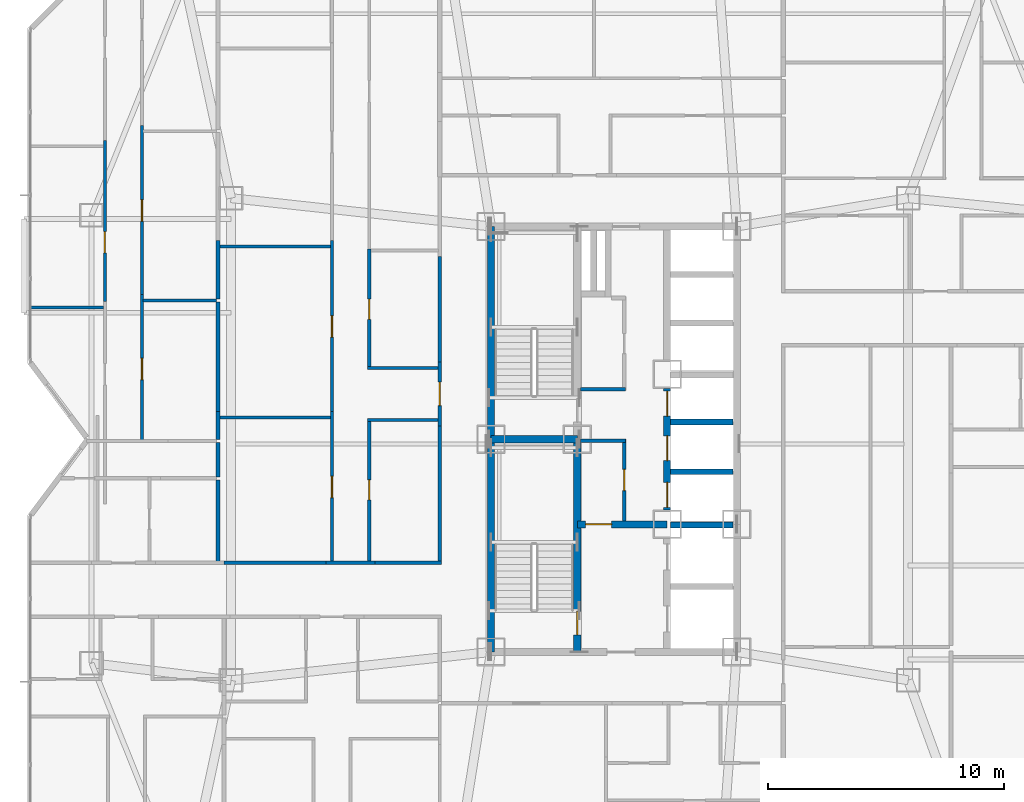
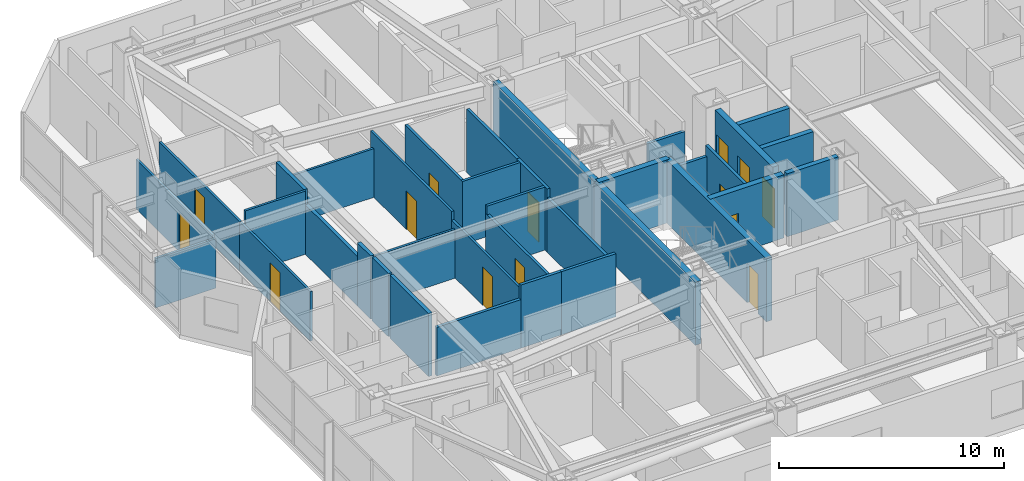
# One storey, part 16 of 21: 36 walls, 14 doors, 14 openings.
"""IFC4 building model written with IfcOpenShell, lengths in metres."""

from ifc_helpers import new_model, si_unit, direction, frame, frame_2d, origin, place, context, subcontext, project, spatial, rectangle, extrude, material, layer, layer_set, type_object, element, fill, save


model = new_model("IFC4")

# Units and contexts
model_context = context("Model", 3, precision=1e-05, world=origin(), true_north=direction((0.0, 1.0)))
body_context = subcontext(model_context, "Body", "Model", "MODEL_VIEW")
ifc_project = project(units=[si_unit("LENGTHUNIT", "METRE"), si_unit("AREAUNIT", "SQUARE_METRE"), si_unit("VOLUMEUNIT", "CUBIC_METRE"), si_unit("PLANEANGLEUNIT", "RADIAN"), si_unit("MASSUNIT", "GRAM", prefix="KILO")], contexts=[model_context])

# Site, building, storey
site_placement = place(None, origin())
site = spatial("IfcSite", under=ifc_project, at=site_placement, CompositionType="ELEMENT")
building_placement = place(site_placement, origin())
building = spatial("IfcBuilding", under=site, at=building_placement, Name="Khamvora Tower", CompositionType="ELEMENT")
storey_placement = place(building_placement, frame((0.0, 0.0, 98.25)))
storey = spatial("IfcBuildingStorey", under=building, at=storey_placement, Name="L24", CompositionType="ELEMENT", Elevation=98.25)

# Walls
ifc_material_1 = material(Name="Concrete C50/60", Category="concrete")
ifc_layer_1 = layer(ifc_material_1, 0.300048828125)
ifc_layer_set_1 = layer_set([ifc_layer_1], Name="Concrete C50/60")
wall_type_1 = type_object("IfcWallType", Name="WAL-CORE-300", PredefinedType="SHEAR", material=ifc_layer_set_1)
for number, where, z_axis, x_axis, name in (
    (1, (29.0, 19.0, 0.0), (0.0, 0.0, 1.0), (0.0, 1.0, 0.0), "L24 central core west south wall"),
    (2, (29.0, 28.0, 0.0), (0.0, 0.0, 1.0), (0.0, 1.0, 0.0), "L24 central core west north wall"),
):
    element("IfcWall", number, at=place(storey_placement, frame(where, z_axis=z_axis, x_axis=x_axis)), inside=storey, type_object=wall_type_1, Name=name, PredefinedType="SHEAR", context=body_context, shape_type="SweptSolid", body=[
        extrude(rectangle(XDim=9.0, YDim=0.300048828125, at=frame_2d((4.5, 0.0))), origin(), (0.0, 0.0, 1.0), 3.429931640625),
    ])

# Wall, opening, door
wall_1_placement = place(storey_placement, frame((32.64990234375, 19.0, 0.0), z_axis=(0.0, 0.0, 1.0), x_axis=(0.0, 1.0, 0.0)))
wall_1 = element("IfcWall", 3, at=wall_1_placement, inside=storey, type_object=wall_type_1, Name="L24 central core stair south spine wall", PredefinedType="SHEAR", context=body_context, shape_type="SweptSolid", body=[
    extrude(rectangle(XDim=9.0, YDim=0.300048828125, at=frame_2d((4.5, 0.0))), origin(), (0.0, 0.0, 1.0), 3.429931640625),
])
opening_1_placement = place(wall_1_placement, frame((0.719970703125, 0.0, 0.0)))
opening_1 = element("IfcOpeningElement", 4, at=opening_1_placement, cuts=wall_1, Name="Opening D-ST1", PredefinedType="OPENING", context=body_context, shape_type="SweptSolid", body=[
    extrude(rectangle(XDim=1.0, YDim=2.14990234375, at=frame_2d((0.5, 1.074951171875))), frame((0.0, 0.159912109375, 0.0), z_axis=(0.0, -1.0, 0.0), x_axis=(1.0, 0.0, 0.0)), (0.0, 0.0, 1.0), 0.320068359375),
])
ifc_material_2 = material(Name="Powder-Coated Steel and Hardwood Leaf", Category="steel")
door_type_1 = type_object("IfcDoorType", Name="DOR-STAIR-1000", OperationType="NOTDEFINED", PredefinedType="DOOR", material=ifc_material_2)
door_1_placement = place(opening_1_placement, origin())
door_1 = element("IfcDoor", 5, at=door_1_placement, inside=storey, type_object=door_type_1, Name="L24 exit stair ST-01 fire door", OperationType="SINGLE_SWING_RIGHT", OverallHeight=2.14990234375, OverallWidth=1.0, PredefinedType="DOOR", context=body_context, shape_type="SweptSolid", body=[
    extrude(rectangle(XDim=1.0, YDim=2.14990234375, at=frame_2d((0.5, 1.074951171875))), frame((0.0, 0.02490234375, 0.0), z_axis=(0.0, -1.0, 0.0), x_axis=(1.0, 0.0, 0.0)), (0.0, 0.0, 1.0), 0.050048828125),
])
fill(opening_1, door_1)

# Wall
wall_2_placement = place(storey_placement, frame((29.0, 28.0, 0.0), z_axis=(0.0, 0.0, 1.0), x_axis=(1.0, 0.0, 0.0)))
element("IfcWall", 6, at=wall_2_placement, inside=storey, type_object=wall_type_1, Name="L24 central core stair cross wall", PredefinedType="SHEAR", context=body_context, shape_type="SweptSolid", body=[
    extrude(rectangle(XDim=3.64990234375, YDim=0.300048828125, at=frame_2d((1.824951171875, 0.0))), origin(), (0.0, 0.0, 1.0), 3.429931640625),
])

# Wall, opening, door
wall_3_placement = place(storey_placement, frame((32.64990234375, 24.39990234375, 0.0), z_axis=(0.0, 0.0, 1.0), x_axis=(1.0, 0.0, 0.0)))
wall_3 = element("IfcWall", 7, at=wall_3_placement, inside=storey, type_object=wall_type_1, Name="L24 central core firefighting lobby north wall", PredefinedType="SHEAR", context=body_context, shape_type="SweptSolid", body=[
    extrude(rectangle(XDim=3.800048828125, YDim=0.300048828125, at=frame_2d((1.89990234375, 0.0))), origin(), (0.0, 0.0, 1.0), 3.429931640625),
])
opening_2_placement = place(wall_3_placement, frame((0.35009765625, 0.0, 0.0)))
opening_2 = element("IfcOpeningElement", 8, at=opening_2_placement, cuts=wall_3, Name="Opening D-FF1", PredefinedType="OPENING", context=body_context, shape_type="SweptSolid", body=[
    extrude(rectangle(XDim=1.10009765625, YDim=2.14990234375, at=frame_2d((0.550048828125, 1.074951171875))), frame((0.0, 0.159912109375, 0.0), z_axis=(0.0, -1.0, 0.0), x_axis=(1.0, 0.0, 0.0)), (0.0, 0.0, 1.0), 0.320068359375),
])
door_type_2 = type_object("IfcDoorType", Name="DOR-FFLOB-1100", OperationType="NOTDEFINED", PredefinedType="DOOR", material=ifc_material_2)
door_2_placement = place(opening_2_placement, origin())
door_2 = element("IfcDoor", 9, at=door_2_placement, inside=storey, type_object=door_type_2, Name="L24 firefighting lobby smoke-seal fire door", OperationType="SINGLE_SWING_RIGHT", OverallHeight=2.14990234375, OverallWidth=1.10009765625, PredefinedType="DOOR", context=body_context, shape_type="SweptSolid", body=[
    extrude(rectangle(XDim=1.10009765625, YDim=2.14990234375, at=frame_2d((0.550048828125, 1.074951171875))), frame((0.0, 0.02490234375, 0.0), z_axis=(0.0, -1.0, 0.0), x_axis=(1.0, 0.0, 0.0)), (0.0, 0.0, 1.0), 0.050048828125),
])
fill(opening_2, door_2)

# Wall, openings, doors
wall_4_placement = place(storey_placement, frame((36.449951171875, 25.0, 0.0), z_axis=(0.0, 0.0, 1.0), x_axis=(0.0, 1.0, 0.0)))
wall_4 = element("IfcWall", 10, at=wall_4_placement, inside=storey, type_object=wall_type_1, Name="L24 central core lift bank central wall", PredefinedType="SHEAR", context=body_context, shape_type="SweptSolid", body=[
    extrude(rectangle(XDim=5.14990234375, YDim=0.300048828125, at=frame_2d((2.574951171875, 0.0))), origin(), (0.0, 0.0, 1.0), 3.429931640625),
])
opening_3_placement = place(wall_4_placement, frame((0.1201171875, 0.0, 0.0)))
opening_3 = element("IfcOpeningElement", 11, at=opening_3_placement, cuts=wall_4, Name="Opening LD-PL", PredefinedType="OPENING", context=body_context, shape_type="SweptSolid", body=[
    extrude(rectangle(XDim=1.050048828125, YDim=2.14990234375, at=frame_2d((0.52490234375, 1.074951171875))), frame((0.0, 0.159912109375, 0.0), z_axis=(0.0, -1.0, 0.0), x_axis=(1.0, 0.0, 0.0)), (0.0, 0.0, 1.0), 0.320068359375),
])
opening_4_placement = place(wall_4_placement, frame((2.094970703125, 0.0, 0.0)))
opening_4 = element("IfcOpeningElement", 12, at=opening_4_placement, cuts=wall_4, Name="Opening LD-PL", PredefinedType="OPENING", context=body_context, shape_type="SweptSolid", body=[
    extrude(rectangle(XDim=1.050048828125, YDim=2.14990234375, at=frame_2d((0.52490234375, 1.074951171875))), frame((0.0, 0.159912109375, 0.0), z_axis=(0.0, -1.0, 0.0), x_axis=(1.0, 0.0, 0.0)), (0.0, 0.0, 1.0), 0.320068359375),
])
opening_5_placement = place(wall_4_placement, frame((3.97998046875, 0.0, 0.0)))
opening_5 = element("IfcOpeningElement", 13, at=opening_5_placement, cuts=wall_4, Name="Opening LD-PL", PredefinedType="OPENING", context=body_context, shape_type="SweptSolid", body=[
    extrude(rectangle(XDim=1.050048828125, YDim=2.14990234375, at=frame_2d((0.52490234375, 1.074951171875))), frame((0.0, 0.159912109375, 0.0), z_axis=(0.0, -1.0, 0.0), x_axis=(1.0, 0.0, 0.0)), (0.0, 0.0, 1.0), 0.320068359375),
])
door_type_3 = type_object("IfcDoorType", Name="DOR-LIFT-1050", OperationType="SLIDING_TO_LEFT", PredefinedType="DOOR", material=ifc_material_2)
door_3_placement = place(opening_3_placement, origin())
door_3 = element("IfcDoor", 14, at=door_3_placement, inside=storey, type_object=door_type_3, Name="L24 lift landing sliding door PL-01", OperationType="SLIDING_TO_LEFT", OverallHeight=2.14990234375, OverallWidth=1.050048828125, PredefinedType="DOOR", context=body_context, shape_type="SweptSolid", body=[
    extrude(rectangle(XDim=1.050048828125, YDim=2.14990234375, at=frame_2d((0.52490234375, 1.074951171875))), frame((0.0, 0.02490234375, 0.0), z_axis=(0.0, -1.0, 0.0), x_axis=(1.0, 0.0, 0.0)), (0.0, 0.0, 1.0), 0.050048828125),
])
fill(opening_3, door_3)
door_4_placement = place(opening_4_placement, origin())
door_4 = element("IfcDoor", 15, at=door_4_placement, inside=storey, type_object=door_type_3, Name="L24 lift landing sliding door PL-02", OperationType="SLIDING_TO_LEFT", OverallHeight=2.14990234375, OverallWidth=1.050048828125, PredefinedType="DOOR", context=body_context, shape_type="SweptSolid", body=[
    extrude(rectangle(XDim=1.050048828125, YDim=2.14990234375, at=frame_2d((0.52490234375, 1.074951171875))), frame((0.0, 0.02490234375, 0.0), z_axis=(0.0, -1.0, 0.0), x_axis=(1.0, 0.0, 0.0)), (0.0, 0.0, 1.0), 0.050048828125),
])
fill(opening_4, door_4)
door_5_placement = place(opening_5_placement, origin())
door_5 = element("IfcDoor", 16, at=door_5_placement, inside=storey, type_object=door_type_3, Name="L24 lift landing sliding door PL-03", OperationType="SLIDING_TO_LEFT", OverallHeight=2.14990234375, OverallWidth=1.050048828125, PredefinedType="DOOR", context=body_context, shape_type="SweptSolid", body=[
    extrude(rectangle(XDim=1.050048828125, YDim=2.14990234375, at=frame_2d((0.52490234375, 1.074951171875))), frame((0.0, 0.02490234375, 0.0), z_axis=(0.0, -1.0, 0.0), x_axis=(1.0, 0.0, 0.0)), (0.0, 0.0, 1.0), 0.050048828125),
])
fill(opening_5, door_5)

# Wall
ifc_material_3 = material(Name="Fire-Rated Drywall and Steel Stud", Category="steel")
ifc_layer_2 = layer(ifc_material_3, 0.14990234375)
ifc_layer_set_2 = layer_set([ifc_layer_2], Name="Fire-Rated Drywall and Steel Stud")
wall_type_2 = type_object("IfcWallType", Name="WAL-CORR-150", PredefinedType="STANDARD", material=ifc_layer_set_2)
wall_5_placement = place(storey_placement, frame((32.7939453125, 30.114990234375, 0.0), z_axis=(0.0, 0.0, 1.0), x_axis=(1.0, 0.0, 0.0)))
element("IfcWall", 17, at=wall_5_placement, inside=storey, type_object=wall_type_2, Name="L24 interior partition wall 001", PredefinedType="STANDARD", context=body_context, shape_type="SweptSolid", body=[
    extrude(rectangle(XDim=1.906005859375, YDim=0.14990234375, at=frame_2d((0.953125, 0.0))), origin(), (0.0, 0.0, 1.0), 2.886962890625),
])

# Wall, opening, door
wall_6_placement = place(storey_placement, frame((34.635009765625, 24.5439453125, 0.0), z_axis=(0.0, 0.0, 1.0), x_axis=(0.0, 1.0, 0.0)))
wall_6 = element("IfcWall", 18, at=wall_6_placement, inside=storey, type_object=wall_type_2, Name="L24 interior partition wall 004", PredefinedType="STANDARD", context=body_context, shape_type="SweptSolid", body=[
    extrude(rectangle(XDim=3.4560546875, YDim=0.14990234375, at=frame_2d((1.72802734375, 0.0))), origin(), (0.0, 0.0, 1.0), 3.429931640625),
])
opening_6_placement = place(wall_6_placement, frame((1.278076171875, 0.0, 0.0)))
opening_6 = element("IfcOpeningElement", 19, at=opening_6_placement, cuts=wall_6, Name="Opening D-RM1", PredefinedType="OPENING", context=body_context, shape_type="SweptSolid", body=[
    extrude(rectangle(XDim=0.89990234375, YDim=2.10009765625, at=frame_2d((0.449951171875, 1.050048828125))), frame((0.0, 0.0849609375, 0.0), z_axis=(0.0, -1.0, 0.0), x_axis=(1.0, 0.0, 0.0)), (0.0, 0.0, 1.0), 0.169921875),
])
door_type_4 = type_object("IfcDoorType", Name="DOR-ROOM-900", OperationType="NOTDEFINED", PredefinedType="DOOR", material=ifc_material_2)
door_6_placement = place(opening_6_placement, origin())
door_6 = element("IfcDoor", 20, at=door_6_placement, inside=storey, type_object=door_type_4, Name="L24 interior door PLL-CS2", OperationType="SINGLE_SWING_RIGHT", OverallHeight=2.10009765625, OverallWidth=0.89990234375, PredefinedType="DOOR", context=body_context, shape_type="SweptSolid", body=[
    extrude(rectangle(XDim=0.89990234375, YDim=2.10009765625, at=frame_2d((0.449951171875, 1.050048828125))), frame((0.0, 0.02490234375, 0.0), z_axis=(0.0, -1.0, 0.0), x_axis=(1.0, 0.0, 0.0)), (0.0, 0.0, 1.0), 0.050048828125),
])
fill(opening_6, door_6)

# Wall
wall_7_placement = place(storey_placement, frame((34.699951171875, 27.93505859375, 0.0), z_axis=(0.0, 0.0, 1.0), x_axis=(-1.0, 0.0, 0.0)))
element("IfcWall", 21, at=wall_7_placement, inside=storey, type_object=wall_type_2, Name="L24 interior partition wall 005", PredefinedType="STANDARD", context=body_context, shape_type="SweptSolid", body=[
    extrude(rectangle(XDim=1.906005859375, YDim=0.14990234375, at=frame_2d((0.953125, 0.0))), origin(), (0.0, 0.0, 1.0), 2.886962890625),
])

# Wall, opening, door
wall_8_placement = place(storey_placement, frame((26.8349609375, 28.56689453125, 0.0), z_axis=(0.0, 0.0, 1.0), x_axis=(0.0, 1.0, 0.0)))
wall_8 = element("IfcWall", 22, at=wall_8_placement, inside=storey, type_object=wall_type_2, Name="L24 interior partition wall 019", PredefinedType="STANDARD", context=body_context, shape_type="SweptSolid", body=[
    extrude(rectangle(XDim=2.697998046875, YDim=0.14990234375, at=frame_2d((1.34912109375, 0.0))), origin(), (0.0, 0.0, 1.0), 3.429931640625),
])
opening_7_placement = place(wall_8_placement, frame((0.84912109375, 0.0, 0.0)))
opening_7 = element("IfcOpeningElement", 23, at=opening_7_placement, cuts=wall_8, Name="Opening D-U1", PredefinedType="OPENING", context=body_context, shape_type="SweptSolid", body=[
    extrude(rectangle(XDim=1.0, YDim=2.14990234375, at=frame_2d((0.5, 1.074951171875))), frame((0.0, 0.0849609375, 0.0), z_axis=(0.0, -1.0, 0.0), x_axis=(1.0, 0.0, 0.0)), (0.0, 0.0, 1.0), 0.169921875),
])
door_type_5 = type_object("IfcDoorType", Name="DOR-UNIT-1000", OperationType="NOTDEFINED", PredefinedType="DOOR", material=ifc_material_2)
door_7_placement = place(opening_7_placement, origin())
door_7 = element("IfcDoor", 24, at=door_7_placement, inside=storey, type_object=door_type_5, Name="L24 interior door COR-24WC2H", OperationType="SINGLE_SWING_LEFT", OverallHeight=2.14990234375, OverallWidth=1.0, PredefinedType="DOOR", context=body_context, shape_type="SweptSolid", body=[
    extrude(rectangle(XDim=1.0, YDim=2.14990234375, at=frame_2d((0.5, 1.074951171875))), frame((0.0, 0.02490234375, 0.0), z_axis=(0.0, -1.0, 0.0), x_axis=(1.0, 0.0, 0.0)), (0.0, 0.0, 1.0), 0.050048828125),
])
fill(opening_7, door_7)

# Walls
wall_9_placement = place(storey_placement, frame((22.02001953125, 22.764892578125, 0.0), z_axis=(0.0, 0.0, 1.0), x_axis=(1.0, 0.0, 0.0)))
element("IfcWall", 25, at=wall_9_placement, inside=storey, type_object=wall_type_2, Name="L24 interior partition wall 020", PredefinedType="STANDARD", context=body_context, shape_type="SweptSolid", body=[
    extrude(rectangle(XDim=2.077880859375, YDim=0.14990234375, at=frame_2d((1.0390625, 0.0))), origin(), (0.0, 0.0, 1.0), 3.429931640625),
])
wall_10_placement = place(storey_placement, frame((26.8349609375, 31.264892578125, 0.0), z_axis=(0.0, 0.0, 1.0), x_axis=(0.0, 1.0, 0.0)))
element("IfcWall", 26, at=wall_10_placement, inside=storey, type_object=wall_type_2, Name="L24 interior partition wall 021", PredefinedType="STANDARD", context=body_context, shape_type="SweptSolid", body=[
    extrude(rectangle(XDim=4.467041015625, YDim=0.14990234375, at=frame_2d((2.2333984375, 0.0))), origin(), (0.0, 0.0, 1.0), 3.429931640625),
])
wall_11_placement = place(storey_placement, frame((26.8349609375, 22.699951171875, 0.0), z_axis=(0.0, 0.0, 1.0), x_axis=(0.0, 1.0, 0.0)))
element("IfcWall", 27, at=wall_11_placement, inside=storey, type_object=wall_type_2, Name="L24 interior partition wall 022", PredefinedType="STANDARD", context=body_context, shape_type="SweptSolid", body=[
    extrude(rectangle(XDim=5.866943359375, YDim=0.14990234375, at=frame_2d((2.93359375, 0.0))), origin(), (0.0, 0.0, 1.0), 2.9609375),
])
wall_12_placement = place(storey_placement, frame((24.097900390625, 22.764892578125, 0.0), z_axis=(0.0, 0.0, 1.0), x_axis=(1.0, 0.0, 0.0)))
element("IfcWall", 28, at=wall_12_placement, inside=storey, type_object=wall_type_2, Name="L24 interior partition wall 023", PredefinedType="STANDARD", context=body_context, shape_type="SweptSolid", body=[
    extrude(rectangle(XDim=2.800048828125, YDim=0.14990234375, at=frame_2d((1.39990234375, 0.0))), origin(), (0.0, 0.0, 1.0), 3.429931640625),
])
wall_13_placement = place(storey_placement, frame((17.698974609375, 22.764892578125, 0.0), z_axis=(0.0, 0.0, 1.0), x_axis=(1.0, 0.0, 0.0)))
element("IfcWall", 29, at=wall_13_placement, inside=storey, type_object=wall_type_2, Name="L24 interior partition wall 024", PredefinedType="STANDARD", context=body_context, shape_type="SweptSolid", body=[
    extrude(rectangle(XDim=4.321044921875, YDim=0.14990234375, at=frame_2d((2.16064453125, 0.0))), origin(), (0.0, 0.0, 1.0), 2.64697265625),
])
ifc_material_4 = material(Name="Acoustic Double-Stud Fire Wall", Category="gypsum")
ifc_layer_3 = layer(ifc_material_4, 0.179931640625)
ifc_layer_set_3 = layer_set([ifc_layer_3], Name="Acoustic Double-Stud Fire Wall")
wall_type_3 = type_object("IfcWallType", Name="WAL-CORR-180", PredefinedType="STANDARD", material=ifc_layer_set_3)
wall_14_placement = place(storey_placement, frame((17.449951171875, 27.860107421875, 0.0), z_axis=(0.0, 0.0, 1.0), x_axis=(0.0, -1.0, 0.0)))
element("IfcWall", 30, at=wall_14_placement, inside=storey, type_object=wall_type_3, Name="L24 interior partition wall 081", PredefinedType="STANDARD", context=body_context, shape_type="SweptSolid", body=[
    extrude(rectangle(XDim=1.4501953125, YDim=0.179931640625, at=frame_2d((0.72509765625, 0.0))), origin(), (0.0, 0.0, 1.0), 3.429931640625),
])
wall_15_placement = place(storey_placement, frame((17.449951171875, 26.280029296875, 0.0), z_axis=(0.0, 0.0, 1.0), x_axis=(0.0, -1.0, 0.0)))
element("IfcWall", 31, at=wall_15_placement, inside=storey, type_object=wall_type_3, Name="L24 interior partition wall 082", PredefinedType="STANDARD", context=body_context, shape_type="SweptSolid", body=[
    extrude(rectangle(XDim=3.447998046875, YDim=0.179931640625, at=frame_2d((1.72412109375, 0.0))), origin(), (0.0, 0.0, 1.0), 3.429931640625),
])
wall_16_placement = place(storey_placement, frame((17.449951171875, 29.174072265625, 0.0), z_axis=(0.0, 0.0, 1.0), x_axis=(0.0, -1.0, 0.0)))
element("IfcWall", 32, at=wall_16_placement, inside=storey, type_object=wall_type_3, Name="L24 interior partition wall 086", PredefinedType="STANDARD", context=body_context, shape_type="SweptSolid", body=[
    extrude(rectangle(XDim=1.18408203125, YDim=0.179931640625, at=frame_2d((0.592041015625, 0.0))), origin(), (0.0, 0.0, 1.0), 3.429931640625),
])
wall_17_placement = place(storey_placement, frame((17.449951171875, 33.799072265625, 0.0), z_axis=(0.0, 0.0, 1.0), x_axis=(0.0, -1.0, 0.0)))
element("IfcWall", 33, at=wall_17_placement, inside=storey, type_object=wall_type_3, Name="L24 interior partition wall 087", PredefinedType="STANDARD", context=body_context, shape_type="SweptSolid", body=[
    extrude(rectangle(XDim=4.625, YDim=0.179931640625, at=frame_2d((2.3125, 0.0))), origin(), (0.0, 0.0, 1.0), 2.68701171875),
])
wall_18_placement = place(storey_placement, frame((17.449951171875, 36.408935546875, 0.0), z_axis=(0.0, 0.0, 1.0), x_axis=(0.0, -1.0, 0.0)))
element("IfcWall", 34, at=wall_18_placement, inside=storey, type_object=wall_type_3, Name="L24 interior partition wall 089", PredefinedType="STANDARD", context=body_context, shape_type="SweptSolid", body=[
    extrude(rectangle(XDim=2.47998046875, YDim=0.179931640625, at=frame_2d((1.239990234375, 0.0))), origin(), (0.0, 0.0, 1.0), 3.429931640625),
])

# Wall, opening, door
ifc_material_5 = material(Name="Gypsum Plasterboard Partition", Category="gypsum")
ifc_layer_4 = layer(ifc_material_5, 0.1201171875)
ifc_layer_set_4 = layer_set([ifc_layer_4], Name="Gypsum Plasterboard Partition")
wall_type_4 = type_object("IfcWallType", Name="WAL-PART-120", PredefinedType="PARTITIONING", material=ifc_layer_set_4)
wall_19_placement = place(storey_placement, frame((12.662109375, 33.826904296875, 0.0), z_axis=(0.0, 0.0, 1.0), x_axis=(0.0, 1.0, 0.0)))
wall_19 = element("IfcWall", 35, at=wall_19_placement, inside=storey, type_object=wall_type_4, Name="L24 interior partition wall 075", PredefinedType="PARTITIONING", context=body_context, shape_type="SweptSolid", body=[
    extrude(rectangle(XDim=6.817138671875, YDim=0.1201171875, at=frame_2d((3.40869140625, 0.0))), origin(), (0.0, 0.0, 1.0), 2.68701171875),
])
opening_8_placement = place(wall_19_placement, frame((2.054931640625, 0.0, 0.0)))
opening_8 = element("IfcOpeningElement", 36, at=opening_8_placement, cuts=wall_19, Name="Opening D-RM1", PredefinedType="OPENING", context=body_context, shape_type="SweptSolid", body=[
    extrude(rectangle(XDim=0.89990234375, YDim=2.10009765625, at=frame_2d((0.449951171875, 1.050048828125))), frame((0.0, 0.070068359375, 0.0), z_axis=(0.0, -1.0, 0.0), x_axis=(1.0, 0.0, 0.0)), (0.0, 0.0, 1.0), 0.14013671875),
])
door_8_placement = place(opening_8_placement, origin())
door_8 = element("IfcDoor", 37, at=door_8_placement, inside=storey, type_object=door_type_4, Name="L24 interior door 24WC1H-24WC1R2", OperationType="SINGLE_SWING_LEFT", OverallHeight=2.10009765625, OverallWidth=0.89990234375, PredefinedType="DOOR", context=body_context, shape_type="SweptSolid", body=[
    extrude(rectangle(XDim=0.89990234375, YDim=2.10009765625, at=frame_2d((0.449951171875, 1.050048828125))), frame((0.0, 0.02490234375, 0.0), z_axis=(0.0, -1.0, 0.0), x_axis=(1.0, 0.0, 0.0)), (0.0, 0.0, 1.0), 0.050048828125),
])
fill(opening_8, door_8)

wall_20_placement = place(storey_placement, frame((14.23193359375, 34.113037109375, 0.0), z_axis=(0.0, 0.0, 1.0), x_axis=(0.0, -1.0, 0.0)))
wall_20 = element("IfcWall", 38, at=wall_20_placement, inside=storey, type_object=wall_type_4, Name="L24 interior partition wall 078", PredefinedType="PARTITIONING", context=body_context, shape_type="SweptSolid", body=[
    extrude(rectangle(XDim=6.2529296875, YDim=0.1201171875, at=frame_2d((3.12646484375, 0.0))), origin(), (0.0, 0.0, 1.0), 2.68701171875),
])
opening_9_placement = place(wall_20_placement, frame((2.697021484375, 0.0, 0.0)))
opening_9 = element("IfcOpeningElement", 39, at=opening_9_placement, cuts=wall_20, Name="Opening D-RM1", PredefinedType="OPENING", context=body_context, shape_type="SweptSolid", body=[
    extrude(rectangle(XDim=0.89990234375, YDim=2.10009765625, at=frame_2d((0.449951171875, 1.050048828125))), frame((0.0, 0.070068359375, 0.0), z_axis=(0.0, -1.0, 0.0), x_axis=(1.0, 0.0, 0.0)), (0.0, 0.0, 1.0), 0.14013671875),
])
door_9_placement = place(opening_9_placement, origin())
door_9 = element("IfcDoor", 40, at=door_9_placement, inside=storey, type_object=door_type_4, Name="L24 interior door 24WC1H-24WC1R4", OperationType="SINGLE_SWING_RIGHT", OverallHeight=2.10009765625, OverallWidth=0.89990234375, PredefinedType="DOOR", context=body_context, shape_type="SweptSolid", body=[
    extrude(rectangle(XDim=0.89990234375, YDim=2.10009765625, at=frame_2d((0.449951171875, 1.050048828125))), frame((0.0, 0.02490234375, 0.0), z_axis=(0.0, -1.0, 0.0), x_axis=(1.0, 0.0, 0.0)), (0.0, 0.0, 1.0), 0.050048828125),
])
fill(opening_9, door_9)

wall_21_placement = place(storey_placement, frame((14.23193359375, 41.280029296875, 0.0), z_axis=(0.0, 0.0, 1.0), x_axis=(0.0, -1.0, 0.0)))
wall_21 = element("IfcWall", 41, at=wall_21_placement, inside=storey, type_object=wall_type_4, Name="L24 interior partition wall 079", PredefinedType="PARTITIONING", context=body_context, shape_type="SweptSolid", body=[
    extrude(rectangle(XDim=7.1669921875, YDim=0.1201171875, at=frame_2d((3.58349609375, 0.0))), origin(), (0.0, 0.0, 1.0), 2.68701171875),
])
opening_10_placement = place(wall_21_placement, frame((3.154052734375, 0.0, 0.0)))
opening_10 = element("IfcOpeningElement", 42, at=opening_10_placement, cuts=wall_21, Name="Opening D-RM1", PredefinedType="OPENING", context=body_context, shape_type="SweptSolid", body=[
    extrude(rectangle(XDim=0.89990234375, YDim=2.10009765625, at=frame_2d((0.449951171875, 1.050048828125))), frame((0.0, 0.070068359375, 0.0), z_axis=(0.0, -1.0, 0.0), x_axis=(1.0, 0.0, 0.0)), (0.0, 0.0, 1.0), 0.14013671875),
])
door_10_placement = place(opening_10_placement, origin())
door_10 = element("IfcDoor", 43, at=door_10_placement, inside=storey, type_object=door_type_4, Name="L24 interior door 24WC1H-24WC1R5", OperationType="SINGLE_SWING_LEFT", OverallHeight=2.10009765625, OverallWidth=0.89990234375, PredefinedType="DOOR", context=body_context, shape_type="SweptSolid", body=[
    extrude(rectangle(XDim=0.89990234375, YDim=2.10009765625, at=frame_2d((0.449951171875, 1.050048828125))), frame((0.0, 0.02490234375, 0.0), z_axis=(0.0, -1.0, 0.0), x_axis=(1.0, 0.0, 0.0)), (0.0, 0.0, 1.0), 0.050048828125),
])
fill(opening_10, door_10)

# Walls
wall_22_placement = place(storey_placement, frame((9.510009765625, 33.577880859375, 0.0), z_axis=(0.0, 0.0, 1.0), x_axis=(1.0, 0.0, 0.0)))
element("IfcWall", 44, at=wall_22_placement, inside=storey, type_object=wall_type_4, Name="L24 interior partition wall 083", PredefinedType="PARTITIONING", context=body_context, shape_type="SweptSolid", body=[
    extrude(rectangle(XDim=3.097900390625, YDim=0.1201171875, at=frame_2d((1.548828125, 0.0))), origin(), (0.0, 0.0, 1.0), 2.68701171875),
])
wall_23_placement = place(storey_placement, frame((14.285888671875, 33.864013671875, 0.0), z_axis=(0.0, 0.0, 1.0), x_axis=(1.0, 0.0, 0.0)))
element("IfcWall", 45, at=wall_23_placement, inside=storey, type_object=wall_type_4, Name="L24 interior partition wall 085", PredefinedType="PARTITIONING", context=body_context, shape_type="SweptSolid", body=[
    extrude(rectangle(XDim=3.09912109375, YDim=0.1201171875, at=frame_2d((1.549560546875, 0.0))), origin(), (0.0, 0.0, 1.0), 3.429931640625),
])

# Wall, opening, door
wall_24_placement = place(storey_placement, frame((22.26904296875, 22.83203125, 0.0), z_axis=(0.0, 0.0, 1.0), x_axis=(0.0, 1.0, 0.0)))
wall_24 = element("IfcWall", 46, at=wall_24_placement, inside=storey, type_object=wall_type_4, Name="L24 interior partition wall 102", PredefinedType="PARTITIONING", context=body_context, shape_type="SweptSolid", body=[
    extrude(rectangle(XDim=6.342041015625, YDim=0.1201171875, at=frame_2d((3.1708984375, 0.0))), origin(), (0.0, 0.0, 1.0), 2.9609375),
])
opening_11_placement = place(wall_24_placement, frame((2.699951171875, 0.0, 0.0)))
opening_11 = element("IfcOpeningElement", 47, at=opening_11_placement, cuts=wall_24, Name="Opening D-RM1", PredefinedType="OPENING", context=body_context, shape_type="SweptSolid", body=[
    extrude(rectangle(XDim=0.89990234375, YDim=2.10009765625, at=frame_2d((0.449951171875, 1.050048828125))), frame((0.0, 0.070068359375, 0.0), z_axis=(0.0, -1.0, 0.0), x_axis=(1.0, 0.0, 0.0)), (0.0, 0.0, 1.0), 0.14013671875),
])
door_11_placement = place(opening_11_placement, origin())
door_11 = element("IfcDoor", 48, at=door_11_placement, inside=storey, type_object=door_type_4, Name="L24 interior door 24WC2H-24WC2L", OperationType="SINGLE_SWING_RIGHT", OverallHeight=2.10009765625, OverallWidth=0.89990234375, PredefinedType="DOOR", context=body_context, shape_type="SweptSolid", body=[
    extrude(rectangle(XDim=0.89990234375, YDim=2.10009765625, at=frame_2d((0.449951171875, 1.050048828125))), frame((0.0, 0.02490234375, 0.0), z_axis=(0.0, -1.0, 0.0), x_axis=(1.0, 0.0, 0.0)), (0.0, 0.0, 1.0), 0.050048828125),
])
fill(opening_11, door_11)

wall_25_placement = place(storey_placement, frame((22.26904296875, 29.174072265625, 0.0), z_axis=(0.0, 0.0, 1.0), x_axis=(0.0, 1.0, 0.0)))
wall_25 = element("IfcWall", 49, at=wall_25_placement, inside=storey, type_object=wall_type_4, Name="L24 interior partition wall 103", PredefinedType="PARTITIONING", context=body_context, shape_type="SweptSolid", body=[
    extrude(rectangle(XDim=7.23486328125, YDim=0.1201171875, at=frame_2d((3.617431640625, 0.0))), origin(), (0.0, 0.0, 1.0), 3.429931640625),
])
opening_12_placement = place(wall_25_placement, frame((3.14599609375, 0.0, 0.0)))
opening_12 = element("IfcOpeningElement", 50, at=opening_12_placement, cuts=wall_25, Name="Opening D-RM1", PredefinedType="OPENING", context=body_context, shape_type="SweptSolid", body=[
    extrude(rectangle(XDim=0.89990234375, YDim=2.10009765625, at=frame_2d((0.449951171875, 1.050048828125))), frame((0.0, 0.070068359375, 0.0), z_axis=(0.0, -1.0, 0.0), x_axis=(1.0, 0.0, 0.0)), (0.0, 0.0, 1.0), 0.14013671875),
])
door_12_placement = place(opening_12_placement, origin())
door_12 = element("IfcDoor", 51, at=door_12_placement, inside=storey, type_object=door_type_4, Name="L24 interior door 24WC2H-24WC2R2", OperationType="SINGLE_SWING_LEFT", OverallHeight=2.10009765625, OverallWidth=0.89990234375, PredefinedType="DOOR", context=body_context, shape_type="SweptSolid", body=[
    extrude(rectangle(XDim=0.89990234375, YDim=2.10009765625, at=frame_2d((0.449951171875, 1.050048828125))), frame((0.0, 0.02490234375, 0.0), z_axis=(0.0, -1.0, 0.0), x_axis=(1.0, 0.0, 0.0)), (0.0, 0.0, 1.0), 0.050048828125),
])
fill(opening_12, door_12)

# Walls
for number, where, z_axis, x_axis, name in (
    (52, (17.531982421875, 28.925048828125, 0.0), (0.0, 0.0, 1.0), (1.0, 0.0, 0.0), "L24 interior partition wall 106"),
    (53, (17.531982421875, 36.159912109375, 0.0), (0.0, 0.0, 1.0), (1.0, 0.0, 0.0), "L24 interior partition wall 107"),
):
    element("IfcWall", number, at=place(storey_placement, frame(where, z_axis=z_axis, x_axis=x_axis)), inside=storey, type_object=wall_type_4, Name=name, PredefinedType="PARTITIONING", context=body_context, shape_type="SweptSolid", body=[
        extrude(rectangle(XDim=4.68310546875, YDim=0.1201171875, at=frame_2d((2.341552734375, 0.0))), origin(), (0.0, 0.0, 1.0), 2.64697265625),
    ])
ifc_material_6 = material(Name="Concrete C40/50", Category="concrete")
ifc_layer_5 = layer(ifc_material_6, 0.25)
ifc_layer_set_5 = layer_set([ifc_layer_5], Name="Concrete C40/50")
wall_type_5 = type_object("IfcWallType", Name="WAL-PODS-250", PredefinedType="SHEAR", material=ifc_layer_set_5)
for number, where, z_axis, x_axis, name in (
    (54, (36.60400390625, 24.375, 0.0), (0.0, 0.0, 1.0), (1.0, 0.0, 0.0), "L24 lift shaft divider wall FFL-02"),
    (55, (36.60400390625, 26.625, 0.0), (0.0, 0.0, 1.0), (1.0, 0.0, 0.0), "L24 lift shaft divider wall PL-01"),
    (56, (36.60400390625, 28.72509765625, 0.0), (0.0, 0.0, 1.0), (1.0, 0.0, 0.0), "L24 lift shaft divider wall PL-02"),
):
    element("IfcWall", number, at=place(storey_placement, frame(where, z_axis=z_axis, x_axis=x_axis)), inside=storey, type_object=wall_type_5, Name=name, PredefinedType="SHEAR", context=body_context, shape_type="SweptSolid", body=[
        extrude(rectangle(XDim=2.64208984375, YDim=0.25, at=frame_2d((1.321044921875, 0.0))), origin(), (0.0, 0.0, 1.0), 3.429931640625),
    ])

# Wall, opening, door
ifc_material_7 = material(Name="Moisture-Resistant Plasterboard Partition", Category="gypsum")
ifc_layer_6 = layer(ifc_material_7, 0.135009765625)
ifc_layer_set_6 = layer_set([ifc_layer_6], Name="Moisture-Resistant Plasterboard Partition")
wall_type_6 = type_object("IfcWallType", Name="WAL-WET-135", PredefinedType="PARTITIONING", material=ifc_layer_set_6)
wall_26_placement = place(storey_placement, frame((23.84912109375, 36.0458984375, 0.0), z_axis=(0.0, 0.0, 1.0), x_axis=(0.0, -1.0, 0.0)))
wall_26 = element("IfcWall", 57, at=wall_26_placement, inside=storey, type_object=wall_type_6, Name="L24 interior partition wall 098", PredefinedType="PARTITIONING", context=body_context, shape_type="SweptSolid", body=[
    extrude(rectangle(XDim=5.094970703125, YDim=0.135009765625, at=frame_2d((2.54736328125, 0.0))), origin(), (0.0, 0.0, 1.0), 3.429931640625),
])
opening_13_placement = place(wall_26_placement, frame((2.123046875, 0.0, 0.0)))
opening_13 = element("IfcOpeningElement", 58, at=opening_13_placement, cuts=wall_26, Name="Opening D-WC1", PredefinedType="OPENING", context=body_context, shape_type="SweptSolid", body=[
    extrude(rectangle(XDim=0.85009765625, YDim=2.10009765625, at=frame_2d((0.425048828125, 1.050048828125))), frame((0.0, 0.077392578125, 0.0), z_axis=(0.0, -1.0, 0.0), x_axis=(1.0, 0.0, 0.0)), (0.0, 0.0, 1.0), 0.155029296875),
])
door_type_6 = type_object("IfcDoorType", Name="DOR-WET-850", OperationType="NOTDEFINED", PredefinedType="DOOR", material=ifc_material_2)
door_13_placement = place(opening_13_placement, origin())
door_13 = element("IfcDoor", 59, at=door_13_placement, inside=storey, type_object=door_type_6, Name="L24 interior door 24WC2H-24WC2B", OperationType="SINGLE_SWING_RIGHT", OverallHeight=2.10009765625, OverallWidth=0.85009765625, PredefinedType="DOOR", context=body_context, shape_type="SweptSolid", body=[
    extrude(rectangle(XDim=0.85009765625, YDim=2.10009765625, at=frame_2d((0.425048828125, 1.050048828125))), frame((0.0, 0.02490234375, 0.0), z_axis=(0.0, -1.0, 0.0), x_axis=(1.0, 0.0, 0.0)), (0.0, 0.0, 1.0), 0.050048828125),
])
fill(opening_13, door_13)

# Walls
for number, where, z_axis, x_axis, name in (
    (60, (23.783935546875, 31.01611328125, 0.0), (0.0, 0.0, 1.0), (1.0, 0.0, 0.0), "L24 interior partition wall 099"),
    (61, (26.77001953125, 28.81591796875, 0.0), (0.0, 0.0, 1.0), (-1.0, 0.0, 0.0), "L24 interior partition wall 100"),
):
    element("IfcWall", number, at=place(storey_placement, frame(where, z_axis=z_axis, x_axis=x_axis)), inside=storey, type_object=wall_type_6, Name=name, PredefinedType="PARTITIONING", context=body_context, shape_type="SweptSolid", body=[
        extrude(rectangle(XDim=2.986083984375, YDim=0.135009765625, at=frame_2d((1.4931640625, 0.0))), origin(), (0.0, 0.0, 1.0), 3.429931640625),
    ])

# Wall, opening, door
wall_27_placement = place(storey_placement, frame((23.84912109375, 28.881103515625, 0.0), z_axis=(0.0, 0.0, 1.0), x_axis=(0.0, -1.0, 0.0)))
wall_27 = element("IfcWall", 62, at=wall_27_placement, inside=storey, type_object=wall_type_6, Name="L24 interior partition wall 101", PredefinedType="PARTITIONING", context=body_context, shape_type="SweptSolid", body=[
    extrude(rectangle(XDim=6.049072265625, YDim=0.135009765625, at=frame_2d((3.0244140625, 0.0))), origin(), (0.0, 0.0, 1.0), 2.9609375),
])
opening_14_placement = place(wall_27_placement, frame((2.60009765625, 0.0, 0.0)))
opening_14 = element("IfcOpeningElement", 63, at=opening_14_placement, cuts=wall_27, Name="Opening D-RM2", PredefinedType="OPENING", context=body_context, shape_type="SweptSolid", body=[
    extrude(rectangle(XDim=0.85009765625, YDim=2.10009765625, at=frame_2d((0.425048828125, 1.050048828125))), frame((0.0, 0.077392578125, 0.0), z_axis=(0.0, -1.0, 0.0), x_axis=(1.0, 0.0, 0.0)), (0.0, 0.0, 1.0), 0.155029296875),
])
door_type_7 = type_object("IfcDoorType", Name="DOR-ROOM-850", OperationType="NOTDEFINED", PredefinedType="DOOR", material=ifc_material_2)
door_14_placement = place(opening_14_placement, origin())
door_14 = element("IfcDoor", 64, at=door_14_placement, inside=storey, type_object=door_type_7, Name="L24 interior door 24WC2H-24WC2K", OperationType="SINGLE_SWING_LEFT", OverallHeight=2.10009765625, OverallWidth=0.85009765625, PredefinedType="DOOR", context=body_context, shape_type="SweptSolid", body=[
    extrude(rectangle(XDim=0.85009765625, YDim=2.10009765625, at=frame_2d((0.425048828125, 1.050048828125))), frame((0.0, 0.02490234375, 0.0), z_axis=(0.0, -1.0, 0.0), x_axis=(1.0, 0.0, 0.0)), (0.0, 0.0, 1.0), 0.050048828125),
])
fill(opening_14, door_14)

save(model, "model.ifc")
